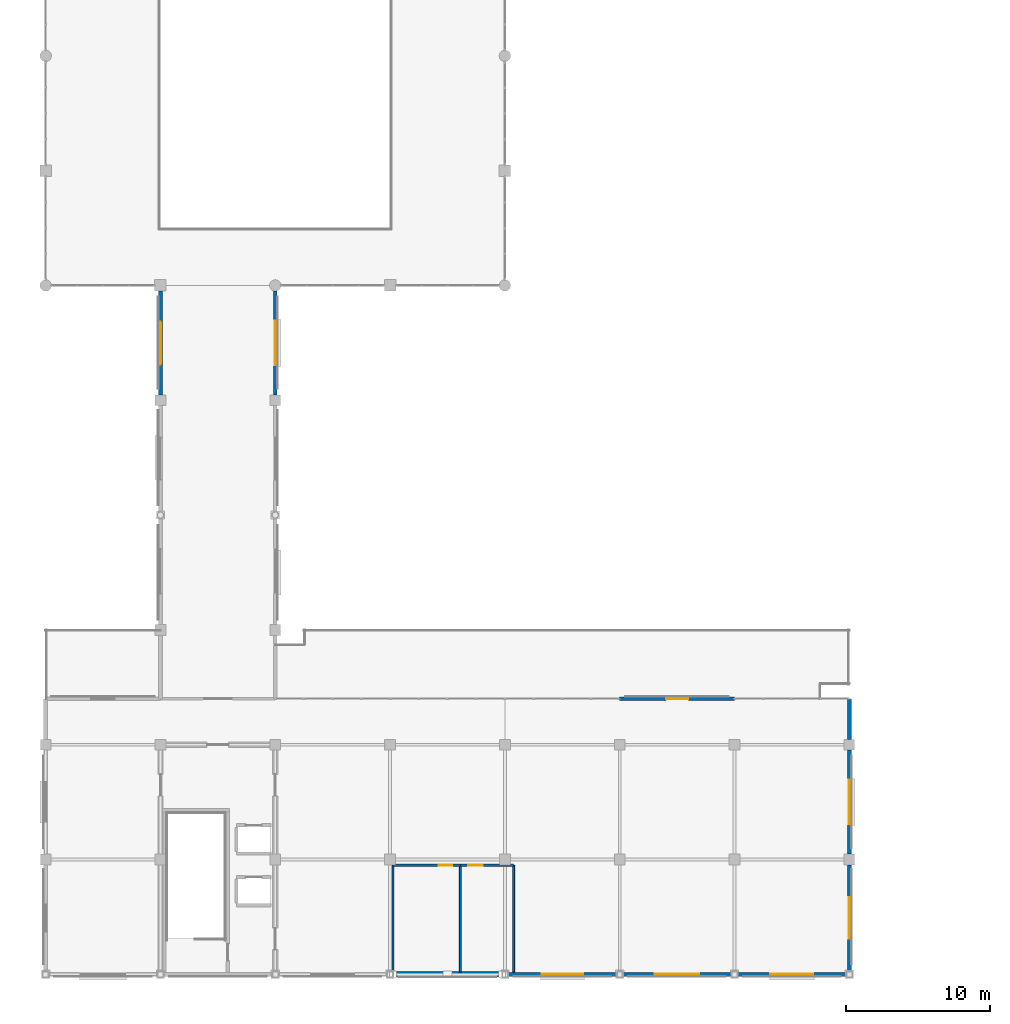
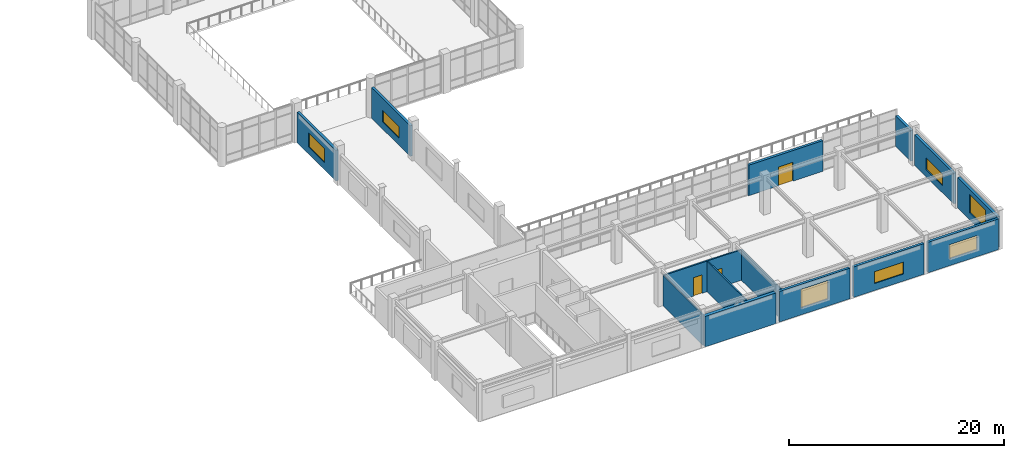
# One storey, part 32 of 42: 15 walls, 7 windows, 3 doors, 10 openings.
"""IFC4 building model written with IfcOpenShell, lengths in metres."""

from ifc_helpers import new_model, si_unit, direction, frame, frame_2d, origin, place, context, subcontext, project, spatial, rectangle, extrude, material, layer, layer_set, type_object, element, fill, save


model = new_model("IFC4")

# Units and contexts
model_context = context("Model", 3, precision=1e-05, world=origin(), true_north=direction((0.0, 1.0)))
body_context = subcontext(model_context, "Body", "Model", "MODEL_VIEW")
ifc_project = project(units=[si_unit("LENGTHUNIT", "METRE"), si_unit("AREAUNIT", "SQUARE_METRE"), si_unit("VOLUMEUNIT", "CUBIC_METRE"), si_unit("PLANEANGLEUNIT", "RADIAN"), si_unit("MASSUNIT", "GRAM", prefix="KILO")], contexts=[model_context])

# Site, building, storey
site_placement = place(None, origin())
site = spatial("IfcSite", under=ifc_project, at=site_placement, CompositionType="ELEMENT")
building_placement = place(site_placement, origin())
building = spatial("IfcBuilding", under=site, at=building_placement, Name="Solmirada Galleria", CompositionType="ELEMENT")
storey_placement = place(building_placement, frame((0.0, 0.0, 28.39990234375)))
storey = spatial("IfcBuildingStorey", under=building, at=storey_placement, Name="L06", CompositionType="ELEMENT", Elevation=28.39990234375)

# Wall
ifc_material_1 = material(Name="Precast concrete C40/50", Category="concrete")
ifc_layer_1 = layer(ifc_material_1, 0.27001953125)
ifc_layer_set_1 = layer_set([ifc_layer_1], Name="Precast concrete C40/50")
wall_type_1 = type_object("IfcWallType", Name="WL-EXT-270", PredefinedType="STANDARD", material=ifc_layer_set_1)
wall_1_placement = place(storey_placement, frame((136.0, 19.199951171875, 0.0), z_axis=(0.0, 0.0, 1.0), x_axis=(0.0, -1.0, 0.0)))
element("IfcWall", 1, at=wall_1_placement, inside=storey, type_object=wall_type_1, Name="Exterior wall L06 bay 001", PredefinedType="STANDARD", context=body_context, shape_type="SweptSolid", body=[
    extrude(rectangle(XDim=2.824951171875, YDim=0.27001953125, at=frame_2d((1.41259765625, 0.0))), origin(), (0.0, 0.0, 1.0), 3.47998046875),
])

# Wall, opening, window
wall_2_placement = place(storey_placement, frame((136.0, 15.625, 0.0), z_axis=(0.0, 0.0, 1.0), x_axis=(0.0, -1.0, 0.0)))
wall_2 = element("IfcWall", 2, at=wall_2_placement, inside=storey, type_object=wall_type_1, Name="Exterior wall L06 bay 002", PredefinedType="STANDARD", context=body_context, shape_type="SweptSolid", body=[
    extrude(rectangle(XDim=7.25, YDim=0.27001953125, at=frame_2d((3.625, 0.0))), origin(), (0.0, 0.0, 1.0), 3.47998046875),
])
opening_1_placement = place(wall_2_placement, frame((2.074951171875, 0.0, 0.800048828125)))
opening_1 = element("IfcOpeningElement", 3, at=opening_1_placement, cuts=wall_2, Name="Opening WN35", PredefinedType="OPENING", context=body_context, shape_type="SweptSolid", body=[
    extrude(rectangle(XDim=3.10009765625, YDim=1.35009765625, at=frame_2d((1.550048828125, 0.675048828125))), frame((0.0, 0.14501953125, 0.0), z_axis=(0.0, -1.0, 0.0), x_axis=(1.0, 0.0, 0.0)), (0.0, 0.0, 1.0), 0.2900390625),
])
ifc_material_2 = material(Name="Impact-resistant low-E double glazing", Category="glass")
window_type_1 = type_object("IfcWindowType", Name="WIN-CLER-310X135", PartitioningType="TRIPLE_PANEL_VERTICAL", PredefinedType="WINDOW", material=ifc_material_2)
window_1_placement = place(opening_1_placement, origin())
window_1 = element("IfcWindow", 4, at=window_1_placement, inside=storey, type_object=window_type_1, Name="Window L06-188", OverallHeight=1.35009765625, OverallWidth=3.10009765625, PartitioningType="TRIPLE_PANEL_VERTICAL", PredefinedType="WINDOW", context=body_context, shape_type="SweptSolid", body=[
    extrude(rectangle(XDim=3.10009765625, YDim=1.35009765625, at=frame_2d((1.550048828125, 0.675048828125))), frame((0.0, 0.030029296875, 0.0), z_axis=(0.0, -1.0, 0.0), x_axis=(1.0, 0.0, 0.0)), (0.0, 0.0, 1.0), 0.06005859375),
])
fill(opening_1, window_1)

wall_3_placement = place(storey_placement, frame((136.0, 7.625, 0.0), z_axis=(0.0, 0.0, 1.0), x_axis=(0.0, -1.0, 0.0)))
wall_3 = element("IfcWall", 5, at=wall_3_placement, inside=storey, type_object=wall_type_1, Name="Exterior wall L06 bay 003", PredefinedType="STANDARD", context=body_context, shape_type="SweptSolid", body=[
    extrude(rectangle(XDim=7.422119140625, YDim=0.27001953125, at=frame_2d((3.7109375, 0.0))), origin(), (0.0, 0.0, 1.0), 3.47998046875),
])
opening_2_placement = place(wall_3_placement, frame((2.260986328125, 0.0, 0.800048828125)))
opening_2 = element("IfcOpeningElement", 6, at=opening_2_placement, cuts=wall_3, Name="Opening WN34", PredefinedType="OPENING", context=body_context, shape_type="SweptSolid", body=[
    extrude(rectangle(XDim=2.89990234375, YDim=2.10009765625, at=frame_2d((1.449951171875, 1.050048828125))), frame((0.0, 0.14501953125, 0.0), z_axis=(0.0, -1.0, 0.0), x_axis=(1.0, 0.0, 0.0)), (0.0, 0.0, 1.0), 0.2900390625),
])
window_type_2 = type_object("IfcWindowType", Name="WIN-REST-290X210", PartitioningType="TRIPLE_PANEL_VERTICAL", PredefinedType="WINDOW", material=ifc_material_2)
window_2_placement = place(opening_2_placement, origin())
window_2 = element("IfcWindow", 7, at=window_2_placement, inside=storey, type_object=window_type_2, Name="Window L06-189", OverallHeight=2.10009765625, OverallWidth=2.89990234375, PartitioningType="TRIPLE_PANEL_VERTICAL", PredefinedType="WINDOW", context=body_context, shape_type="SweptSolid", body=[
    extrude(rectangle(XDim=2.89990234375, YDim=2.10009765625, at=frame_2d((1.449951171875, 1.050048828125))), frame((0.0, 0.030029296875, 0.0), z_axis=(0.0, -1.0, 0.0), x_axis=(1.0, 0.0, 0.0)), (0.0, 0.0, 1.0), 0.06005859375),
])
fill(opening_2, window_2)

wall_4_placement = place(storey_placement, frame((135.797119140625, 0.0, 0.0), z_axis=(0.0, 0.0, 1.0), x_axis=(-1.0, 0.0, 0.0)))
wall_4 = element("IfcWall", 8, at=wall_4_placement, inside=storey, type_object=wall_type_1, Name="Exterior wall L06 bay 004", PredefinedType="STANDARD", context=body_context, shape_type="SweptSolid", body=[
    extrude(rectangle(XDim=7.59423828125, YDim=0.27001953125, at=frame_2d((3.797119140625, 0.0))), origin(), (0.0, 0.0, 1.0), 3.47998046875),
])
opening_3_placement = place(wall_4_placement, frame((2.297119140625, 0.0, 0.800048828125)))
opening_3 = element("IfcOpeningElement", 9, at=opening_3_placement, cuts=wall_4, Name="Opening WN23", PredefinedType="OPENING", context=body_context, shape_type="SweptSolid", body=[
    extrude(rectangle(XDim=3.0, YDim=1.60009765625, at=frame_2d((1.5, 0.800048828125))), frame((0.0, 0.14501953125, 0.0), z_axis=(0.0, -1.0, 0.0), x_axis=(1.0, 0.0, 0.0)), (0.0, 0.0, 1.0), 0.2900390625),
])
window_type_3 = type_object("IfcWindowType", Name="WIN-RIB-300X160", PartitioningType="TRIPLE_PANEL_VERTICAL", PredefinedType="WINDOW", material=ifc_material_2)
window_3_placement = place(opening_3_placement, origin())
window_3 = element("IfcWindow", 10, at=window_3_placement, inside=storey, type_object=window_type_3, Name="Window L06-190", OverallHeight=1.60009765625, OverallWidth=3.0, PartitioningType="TRIPLE_PANEL_VERTICAL", PredefinedType="WINDOW", context=body_context, shape_type="SweptSolid", body=[
    extrude(rectangle(XDim=3.0, YDim=1.60009765625, at=frame_2d((1.5, 0.800048828125))), frame((0.0, 0.030029296875, 0.0), z_axis=(0.0, -1.0, 0.0), x_axis=(1.0, 0.0, 0.0)), (0.0, 0.0, 1.0), 0.06005859375),
])
fill(opening_3, window_3)

wall_5_placement = place(storey_placement, frame((127.797119140625, 0.0, 0.0), z_axis=(0.0, 0.0, 1.0), x_axis=(-1.0, 0.0, 0.0)))
wall_5 = element("IfcWall", 11, at=wall_5_placement, inside=storey, type_object=wall_type_1, Name="Exterior wall L06 bay 005", PredefinedType="STANDARD", context=body_context, shape_type="SweptSolid", body=[
    extrude(rectangle(XDim=7.59423828125, YDim=0.27001953125, at=frame_2d((3.797119140625, 0.0))), origin(), (0.0, 0.0, 1.0), 3.47998046875),
])
opening_4_placement = place(wall_5_placement, frame((2.2470703125, 0.0, 0.800048828125)))
opening_4 = element("IfcOpeningElement", 12, at=opening_4_placement, cuts=wall_5, Name="Opening WN35", PredefinedType="OPENING", context=body_context, shape_type="SweptSolid", body=[
    extrude(rectangle(XDim=3.10009765625, YDim=1.35009765625, at=frame_2d((1.550048828125, 0.675048828125))), frame((0.0, 0.14501953125, 0.0), z_axis=(0.0, -1.0, 0.0), x_axis=(1.0, 0.0, 0.0)), (0.0, 0.0, 1.0), 0.2900390625),
])
window_4_placement = place(opening_4_placement, origin())
window_4 = element("IfcWindow", 13, at=window_4_placement, inside=storey, type_object=window_type_1, Name="Window L06-191", OverallHeight=1.35009765625, OverallWidth=3.10009765625, PartitioningType="TRIPLE_PANEL_VERTICAL", PredefinedType="WINDOW", context=body_context, shape_type="SweptSolid", body=[
    extrude(rectangle(XDim=3.10009765625, YDim=1.35009765625, at=frame_2d((1.550048828125, 0.675048828125))), frame((0.0, 0.030029296875, 0.0), z_axis=(0.0, -1.0, 0.0), x_axis=(1.0, 0.0, 0.0)), (0.0, 0.0, 1.0), 0.06005859375),
])
fill(opening_4, window_4)

wall_6_placement = place(storey_placement, frame((119.797119140625, 0.0, 0.0), z_axis=(0.0, 0.0, 1.0), x_axis=(-1.0, 0.0, 0.0)))
wall_6 = element("IfcWall", 14, at=wall_6_placement, inside=storey, type_object=wall_type_1, Name="Exterior wall L06 bay 006", PredefinedType="STANDARD", context=body_context, shape_type="SweptSolid", body=[
    extrude(rectangle(XDim=7.59423828125, YDim=0.27001953125, at=frame_2d((3.797119140625, 0.0))), origin(), (0.0, 0.0, 1.0), 3.47998046875),
])
opening_5_placement = place(wall_6_placement, frame((2.346923828125, 0.0, 0.800048828125)))
opening_5 = element("IfcOpeningElement", 15, at=opening_5_placement, cuts=wall_6, Name="Opening WN34", PredefinedType="OPENING", context=body_context, shape_type="SweptSolid", body=[
    extrude(rectangle(XDim=2.89990234375, YDim=2.10009765625, at=frame_2d((1.449951171875, 1.050048828125))), frame((0.0, 0.14501953125, 0.0), z_axis=(0.0, -1.0, 0.0), x_axis=(1.0, 0.0, 0.0)), (0.0, 0.0, 1.0), 0.2900390625),
])
window_5_placement = place(opening_5_placement, origin())
window_5 = element("IfcWindow", 16, at=window_5_placement, inside=storey, type_object=window_type_2, Name="Window L06-192", OverallHeight=2.10009765625, OverallWidth=2.89990234375, PartitioningType="TRIPLE_PANEL_VERTICAL", PredefinedType="WINDOW", context=body_context, shape_type="SweptSolid", body=[
    extrude(rectangle(XDim=2.89990234375, YDim=2.10009765625, at=frame_2d((1.449951171875, 1.050048828125))), frame((0.0, 0.030029296875, 0.0), z_axis=(0.0, -1.0, 0.0), x_axis=(1.0, 0.0, 0.0)), (0.0, 0.0, 1.0), 0.06005859375),
])
fill(opening_5, window_5)

wall_7_placement = place(storey_placement, frame((88.0, 40.375, 0.0), z_axis=(0.0, 0.0, 1.0), x_axis=(0.0, 1.0, 0.0)))
wall_7 = element("IfcWall", 17, at=wall_7_placement, inside=storey, type_object=wall_type_1, Name="Exterior wall L06 bay 018", PredefinedType="STANDARD", context=body_context, shape_type="SweptSolid", body=[
    extrude(rectangle(XDim=7.22509765625, YDim=0.27001953125, at=frame_2d((3.612548828125, 0.0))), origin(), (0.0, 0.0, 1.0), 3.47998046875),
])
opening_6_placement = place(wall_7_placement, frame((2.113037109375, 0.0, 0.800048828125)))
opening_6 = element("IfcOpeningElement", 18, at=opening_6_placement, cuts=wall_7, Name="Opening WN23", PredefinedType="OPENING", context=body_context, shape_type="SweptSolid", body=[
    extrude(rectangle(XDim=3.0, YDim=1.60009765625, at=frame_2d((1.5, 0.800048828125))), frame((0.0, 0.14501953125, 0.0), z_axis=(0.0, -1.0, 0.0), x_axis=(1.0, 0.0, 0.0)), (0.0, 0.0, 1.0), 0.2900390625),
])
window_6_placement = place(opening_6_placement, origin())
window_6 = element("IfcWindow", 19, at=window_6_placement, inside=storey, type_object=window_type_3, Name="Window L06-199", OverallHeight=1.60009765625, OverallWidth=3.0, PartitioningType="TRIPLE_PANEL_VERTICAL", PredefinedType="WINDOW", context=body_context, shape_type="SweptSolid", body=[
    extrude(rectangle(XDim=3.0, YDim=1.60009765625, at=frame_2d((1.5, 0.800048828125))), frame((0.0, 0.030029296875, 0.0), z_axis=(0.0, -1.0, 0.0), x_axis=(1.0, 0.0, 0.0)), (0.0, 0.0, 1.0), 0.06005859375),
])
fill(opening_6, window_6)

wall_8_placement = place(storey_placement, frame((96.0, 47.60009765625, 0.0), z_axis=(0.0, 0.0, 1.0), x_axis=(0.0, -1.0, 0.0)))
wall_8 = element("IfcWall", 20, at=wall_8_placement, inside=storey, type_object=wall_type_1, Name="Exterior wall L06 bay 032", PredefinedType="STANDARD", context=body_context, shape_type="SweptSolid", body=[
    extrude(rectangle(XDim=7.22509765625, YDim=0.27001953125, at=frame_2d((3.612548828125, 0.0))), origin(), (0.0, 0.0, 1.0), 3.47998046875),
])
opening_7_placement = place(wall_8_placement, frame((2.06298828125, 0.0, 0.800048828125)))
opening_7 = element("IfcOpeningElement", 21, at=opening_7_placement, cuts=wall_8, Name="Opening WN35", PredefinedType="OPENING", context=body_context, shape_type="SweptSolid", body=[
    extrude(rectangle(XDim=3.10009765625, YDim=1.35009765625, at=frame_2d((1.550048828125, 0.675048828125))), frame((0.0, 0.14501953125, 0.0), z_axis=(0.0, -1.0, 0.0), x_axis=(1.0, 0.0, 0.0)), (0.0, 0.0, 1.0), 0.2900390625),
])
window_7_placement = place(opening_7_placement, origin())
window_7 = element("IfcWindow", 22, at=window_7_placement, inside=storey, type_object=window_type_1, Name="Window L06-200", OverallHeight=1.35009765625, OverallWidth=3.10009765625, PartitioningType="TRIPLE_PANEL_VERTICAL", PredefinedType="WINDOW", context=body_context, shape_type="SweptSolid", body=[
    extrude(rectangle(XDim=3.10009765625, YDim=1.35009765625, at=frame_2d((1.550048828125, 0.675048828125))), frame((0.0, 0.030029296875, 0.0), z_axis=(0.0, -1.0, 0.0), x_axis=(1.0, 0.0, 0.0)), (0.0, 0.0, 1.0), 0.06005859375),
])
fill(opening_7, window_7)

# Wall, opening, door
wall_9_placement = place(storey_placement, frame((120.0, 19.199951171875, 0.0), z_axis=(0.0, 0.0, 1.0), x_axis=(1.0, 0.0, 0.0)))
wall_9 = element("IfcWall", 23, at=wall_9_placement, inside=storey, type_object=wall_type_1, Name="Exterior wall L06 bay 039", PredefinedType="STANDARD", context=body_context, shape_type="SweptSolid", body=[
    extrude(rectangle(XDim=8.0, YDim=0.27001953125, at=frame_2d((4.0, 0.0))), origin(), (0.0, 0.0, 1.0), 3.47998046875),
])
opening_8_placement = place(wall_9_placement, frame((3.22509765625, 0.0, 0.0)))
opening_8 = element("IfcOpeningElement", 24, at=opening_8_placement, cuts=wall_9, Name="Opening TD-082", PredefinedType="OPENING", context=body_context, shape_type="SweptSolid", body=[
    extrude(rectangle(XDim=1.550048828125, YDim=2.14990234375, at=frame_2d((0.77490234375, 1.074951171875))), frame((0.0, 0.14501953125, 0.0), z_axis=(0.0, -1.0, 0.0), x_axis=(1.0, 0.0, 0.0)), (0.0, 0.0, 1.0), 0.2900390625),
])
ifc_material_3 = material(Name="Thermally broken aluminium and laminated glass door", Category="aluminium")
door_type_1 = type_object("IfcDoorType", Name="DR-TERR-155X215", OperationType="DOUBLE_DOOR_SINGLE_SWING", PredefinedType="DOOR", material=ifc_material_3)
door_1_placement = place(opening_8_placement, origin())
door_1 = element("IfcDoor", 25, at=door_1_placement, inside=storey, type_object=door_type_1, Name="Planted terrace access door TD-082", OperationType="DOUBLE_DOOR_SINGLE_SWING", OverallHeight=2.14990234375, OverallWidth=1.550048828125, PredefinedType="DOOR", context=body_context, shape_type="SweptSolid", body=[
    extrude(rectangle(XDim=1.550048828125, YDim=2.14990234375, at=frame_2d((0.77490234375, 1.074951171875))), frame((0.0, 0.02490234375, 0.0), z_axis=(0.0, -1.0, 0.0), x_axis=(1.0, 0.0, 0.0)), (0.0, 0.0, 1.0), 0.050048828125),
])
fill(opening_8, door_1)

# Walls
ifc_material_4 = material(Name="Acoustic gypsum board partition")
ifc_layer_2 = layer(ifc_material_4, 0.135009765625)
ifc_layer_set_2 = layer_set([ifc_layer_2], Name="Acoustic gypsum board partition")
wall_type_2 = type_object("IfcWallType", Name="WL-PART-135", PredefinedType="PARTITIONING", material=ifc_layer_set_2)
for number, where, z_axis, x_axis, name in (
    (26, (104.199951171875, 0.14990234375, 0.0), (0.0, 0.0, 1.0), (0.0, 1.0, 0.0), "Partition L06-161 (South WC West)"),
    (27, (108.89990234375, 0.14990234375, 0.0), (0.0, 0.0, 1.0), (0.0, 1.0, 0.0), "Partition L06-162 (South WC Divider)"),
    (28, (112.60009765625, 0.14990234375, 0.0), (0.0, 0.0, 1.0), (0.0, 1.0, 0.0), "Partition L06-163 (South WC East)"),
):
    element("IfcWall", number, at=place(storey_placement, frame(where, z_axis=z_axis, x_axis=x_axis)), inside=storey, type_object=wall_type_2, Name=name, PredefinedType="PARTITIONING", context=body_context, shape_type="SweptSolid", body=[
        extrude(rectangle(XDim=7.4501953125, YDim=0.135009765625, at=frame_2d((3.72509765625, 0.0))), origin(), (0.0, 0.0, 1.0), 3.47998046875),
    ])

# Wall, opening, door
ifc_layer_3 = layer(ifc_material_4, 0.159912109375)
ifc_layer_set_3 = layer_set([ifc_layer_3], Name="Acoustic gypsum board partition")
wall_type_3 = type_object("IfcWallType", Name="WL-PART-160", PredefinedType="PARTITIONING", material=ifc_layer_set_3)
wall_10_placement = place(storey_placement, frame((104.199951171875, 7.60009765625, 0.0), z_axis=(0.0, 0.0, 1.0), x_axis=(1.0, 0.0, 0.0)))
wall_10 = element("IfcWall", 29, at=wall_10_placement, inside=storey, type_object=wall_type_3, Name="Partition L06-159 (South Restroom)", PredefinedType="PARTITIONING", context=body_context, shape_type="SweptSolid", body=[
    extrude(rectangle(XDim=4.699951171875, YDim=0.159912109375, at=frame_2d((2.35009765625, 0.0))), origin(), (0.0, 0.0, 1.0), 3.47998046875),
])
opening_9_placement = place(wall_10_placement, frame((3.193115234375, 0.0, 0.0)))
opening_9 = element("IfcOpeningElement", 30, at=opening_9_placement, cuts=wall_10, Name="Opening ID-372", PredefinedType="OPENING", context=body_context, shape_type="SweptSolid", body=[
    extrude(rectangle(XDim=0.919921875, YDim=2.10009765625, at=frame_2d((0.4599609375, 1.050048828125))), frame((0.0, 0.08984375, 0.0), z_axis=(0.0, -1.0, 0.0), x_axis=(1.0, 0.0, 0.0)), (0.0, 0.0, 1.0), 0.179931640625),
])
ifc_material_5 = material(Name="Architectural hardwood veneer door", Category="wood")
door_type_2 = type_object("IfcDoorType", Name="DR-WC-092X210", OperationType="NOTDEFINED", PredefinedType="DOOR", material=ifc_material_5)
door_2_placement = place(opening_9_placement, origin())
door_2 = element("IfcDoor", 31, at=door_2_placement, inside=storey, type_object=door_type_2, Name="South Restroom door ID-372", OperationType="SINGLE_SWING_RIGHT", OverallHeight=2.10009765625, OverallWidth=0.919921875, PredefinedType="DOOR", context=body_context, shape_type="SweptSolid", body=[
    extrude(rectangle(XDim=0.919921875, YDim=2.10009765625, at=frame_2d((0.4599609375, 1.050048828125))), frame((0.0, 0.02490234375, 0.0), z_axis=(0.0, -1.0, 0.0), x_axis=(1.0, 0.0, 0.0)), (0.0, 0.0, 1.0), 0.050048828125),
])
fill(opening_9, door_2)

wall_11_placement = place(storey_placement, frame((108.89990234375, 7.60009765625, 0.0), z_axis=(0.0, 0.0, 1.0), x_axis=(1.0, 0.0, 0.0)))
wall_11 = element("IfcWall", 32, at=wall_11_placement, inside=storey, type_object=wall_type_3, Name="Partition L06-160 (South Accessible WC)", PredefinedType="PARTITIONING", context=body_context, shape_type="SweptSolid", body=[
    extrude(rectangle(XDim=3.7001953125, YDim=0.159912109375, at=frame_2d((1.85009765625, 0.0))), origin(), (0.0, 0.0, 1.0), 3.47998046875),
])
opening_10_placement = place(wall_11_placement, frame((0.548095703125, 0.0, 0.0)))
opening_10 = element("IfcOpeningElement", 33, at=opening_10_placement, cuts=wall_11, Name="Opening ID-373", PredefinedType="OPENING", context=body_context, shape_type="SweptSolid", body=[
    extrude(rectangle(XDim=1.02001953125, YDim=2.10009765625, at=frame_2d((0.510009765625, 1.050048828125))), frame((0.0, 0.08984375, 0.0), z_axis=(0.0, -1.0, 0.0), x_axis=(1.0, 0.0, 0.0)), (0.0, 0.0, 1.0), 0.179931640625),
])
door_type_3 = type_object("IfcDoorType", Name="DR-AWC-102X210", OperationType="NOTDEFINED", PredefinedType="DOOR", material=ifc_material_5)
door_3_placement = place(opening_10_placement, origin())
door_3 = element("IfcDoor", 34, at=door_3_placement, inside=storey, type_object=door_type_3, Name="South Accessible WC door ID-373", OperationType="SINGLE_SWING_LEFT", OverallHeight=2.10009765625, OverallWidth=1.02001953125, PredefinedType="DOOR", context=body_context, shape_type="SweptSolid", body=[
    extrude(rectangle(XDim=1.02001953125, YDim=2.10009765625, at=frame_2d((0.510009765625, 1.050048828125))), frame((0.0, 0.02490234375, 0.0), z_axis=(0.0, -1.0, 0.0), x_axis=(1.0, 0.0, 0.0)), (0.0, 0.0, 1.0), 0.050048828125),
])
fill(opening_10, door_3)

# Wall
ifc_material_6 = material(Name="Architectural concrete masonry C30/37", Category="masonry")
ifc_layer_4 = layer(ifc_material_6, 0.360107421875)
ifc_layer_set_4 = layer_set([ifc_layer_4], Name="Architectural concrete masonry C30/37")
wall_type_4 = type_object("IfcWallType", Name="WL-SOLID-360", PredefinedType="SOLIDWALL", material=ifc_layer_set_4)
wall_12_placement = place(storey_placement, frame((111.797119140625, 0.0, 0.0), z_axis=(0.0, 0.0, 1.0), x_axis=(-1.0, 0.0, 0.0)))
element("IfcWall", 35, at=wall_12_placement, inside=storey, type_object=wall_type_4, Name="Exterior wall L06 bay 007", PredefinedType="SOLIDWALL", context=body_context, shape_type="SweptSolid", body=[
    extrude(rectangle(XDim=7.59423828125, YDim=0.360107421875, at=frame_2d((3.797119140625, 0.0))), origin(), (0.0, 0.0, 1.0), 3.47998046875),
])

save(model, "model.ifc")
